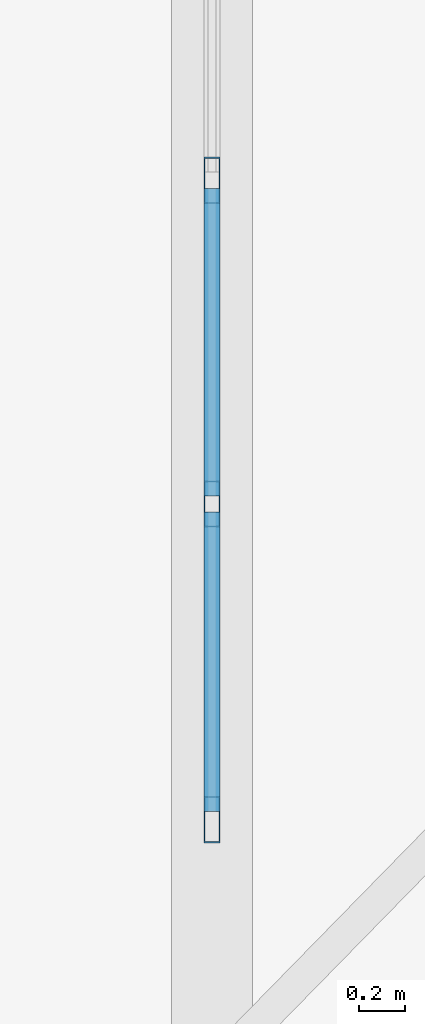
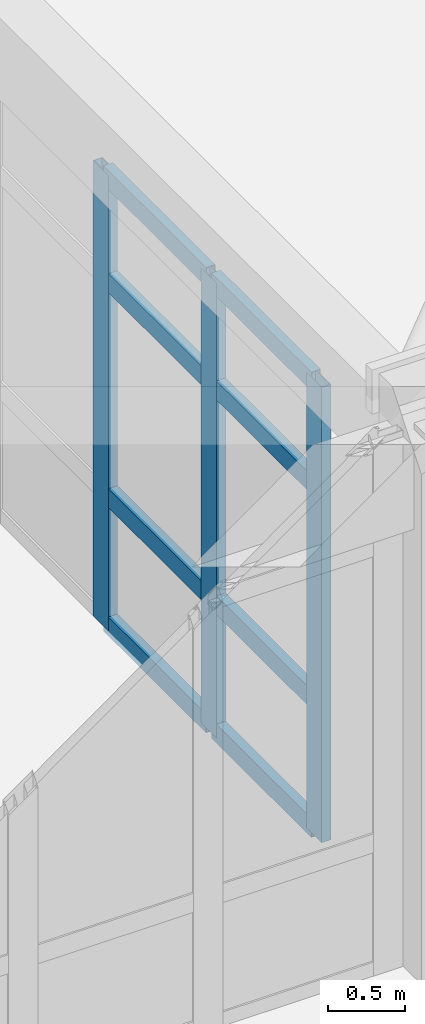
# One storey, part 93 of 186: 11 members, 1 element without a shape of its own.
"""IFC4 building model written with IfcOpenShell, lengths in metres."""

import ifcopenshell
import ifcopenshell.guid

model = None  # the IFC model being written
_history = None  # IfcOwnerHistory: only IFC2X3 demands one
_inside = {}  # id of a spatial element -> (the spatial element, [elements in it])
_under = {}  # id of a project, library or spatial element -> (it, [spatial elements below it])
_declared = {}  # id of a project -> (the project, [libraries it declares])
_typed = {}  # id of a type object -> (the type object, [elements of that type])
_made_of = {}  # id of a material, layer set ... -> (it, [elements and type objects made of it])


def new_model(schema):
    """Start an empty IFC model of exactly this schema.

    Asked for "IFC4X3", IfcOpenShell would pick the latest addendum, in which some entities
    have other attributes; the version numbers below select the first issue.
    IFC2X3 requires an IfcOwnerHistory on every rooted entity: one is made here for all.
    """
    global model, _history
    if schema == "IFC4X3":
        model = ifcopenshell.file(schema_version=(4, 3, 0, 0))
    else:
        model = ifcopenshell.file(schema=schema)
    _inside.clear()
    _under.clear()
    _declared.clear()
    _typed.clear()
    _made_of.clear()
    _history = None
    if model.schema == "IFC2X3":
        org = make("IfcOrganization", Name="unknown")
        user = make(
            "IfcPersonAndOrganization",
            ThePerson=make("IfcPerson", FamilyName="unknown"),
            TheOrganization=org,
        )
        app = make(
            "IfcApplication",
            ApplicationDeveloper=org,
            Version="unknown",
            ApplicationFullName="unknown",
            ApplicationIdentifier="unknown",
        )
        _history = make(
            "IfcOwnerHistory",
            OwningUser=user,
            OwningApplication=app,
            ChangeAction="ADDED",
            CreationDate=0,
        )
    return model


def make(cls, **values):
    """One entity of the class cls with the attributes given. An attribute that is None is left unset."""
    return model.create_entity(
        cls, **{name: value for name, value in values.items() if value is not None}
    )


def rooted(cls, **values):
    """An entity with a GlobalId (a new one), such as an element, a storey or a relation."""
    return make(cls, GlobalId=ifcopenshell.guid.new(), OwnerHistory=_history, **values)


def si_unit(unit_type, name, prefix=None):
    """IfcSIUnit, for example si_unit("LENGTHUNIT", "METRE", prefix="MILLI")."""
    return make("IfcSIUnit", UnitType=unit_type, Prefix=prefix, Name=name)


def assignment(units):
    """IfcUnitAssignment: the units of a project."""
    return None if units is None else make("IfcUnitAssignment", Units=units)


def point(xyz):
    """IfcCartesianPoint."""
    return None if xyz is None else make("IfcCartesianPoint", Coordinates=xyz)


def direction(xyz):
    """IfcDirection."""
    return None if xyz is None else make("IfcDirection", DirectionRatios=xyz)


def frame(location, z_axis=None, x_axis=None):
    """IfcAxis2Placement3D, a coordinate frame: its origin and axes. An axis left out is left unset."""
    return make(
        "IfcAxis2Placement3D",
        Location=point(location),
        Axis=direction(z_axis),
        RefDirection=direction(x_axis),
    )


def frame_2d(location, x_axis=None):
    """IfcAxis2Placement2D, a coordinate frame in the plane: its origin and x axis."""
    return make(
        "IfcAxis2Placement2D", Location=point(location), RefDirection=direction(x_axis)
    )


def origin():
    """The frame at (0, 0, 0) with its axes left unset."""
    return frame((0.0, 0.0, 0.0))


def origin_2d():
    """The frame at (0, 0) in the plane with its x axis left unset."""
    return frame_2d((0.0, 0.0))


def place(relative_to, where):
    """IfcLocalPlacement: puts the frame where relative to a parent placement (None: the world)."""
    return make(
        "IfcLocalPlacement", PlacementRelTo=relative_to, RelativePlacement=where
    )


def context(
    kind, dimensions, precision=None, world=None, true_north=None, identifier=None
):
    """IfcGeometricRepresentationContext, for example the 3D "Model" context."""
    return make(
        "IfcGeometricRepresentationContext",
        ContextIdentifier=identifier,
        ContextType=kind,
        CoordinateSpaceDimension=dimensions,
        Precision=precision,
        WorldCoordinateSystem=world,
        TrueNorth=true_north,
    )


def subcontext(parent, identifier, kind, view, scale=None):
    """IfcGeometricRepresentationSubContext, for example "Body" below "Model"."""
    return make(
        "IfcGeometricRepresentationSubContext",
        ContextIdentifier=identifier,
        ContextType=kind,
        ParentContext=parent,
        TargetScale=scale,
        TargetView=view,
    )


def project(units=None, contexts=None):
    """IfcProject with its units and contexts."""
    return rooted(
        "IfcProject",
        Name="project",
        RepresentationContexts=contexts,
        UnitsInContext=assignment(units),
    )


def spatial(cls, under=None, at=None, **own):
    """A site, building, storey or space (cls), placed at a placement, below another one or the project."""
    s = rooted(cls, ObjectPlacement=at, **own)
    if under is not None:
        _under.setdefault(under.id(), (under, []))[1].append(s)
    return s


def profile(cls, at=None, kind="AREA", **sizes):
    """A parametric profile (cls). Its sizes go by their IFC names, for example OverallWidth=200.0."""
    return make(cls, ProfileType=kind, Position=at, **sizes)


def hollow_rectangle(**sizes):
    """IfcRectangleHollowProfileDef."""
    return profile("IfcRectangleHollowProfileDef", **sizes)


def extrude(swept, where, along, depth):
    """IfcExtrudedAreaSolid: the profile swept, set in the frame where, extruded along a direction by depth."""
    return make(
        "IfcExtrudedAreaSolid",
        SweptArea=swept,
        Position=where,
        ExtrudedDirection=direction(along),
        Depth=depth,
    )


def shape(context_of_items, identifier, shape_type, items):
    """IfcShapeRepresentation: the items that make up one representation, for example the "Body"."""
    return make(
        "IfcShapeRepresentation",
        ContextOfItems=context_of_items,
        RepresentationIdentifier=identifier,
        RepresentationType=shape_type,
        Items=items,
    )


def material(Name=None, Category=None):
    """IfcMaterial."""
    return make("IfcMaterial", Name=Name, Category=Category)


def layer(
    of_material, thickness, ventilated=None, Name=None, Category=None, Priority=None
):
    """IfcMaterialLayer: one layer of a wall or slab, of a material (None: an air gap)."""
    return make(
        "IfcMaterialLayer",
        Material=of_material,
        LayerThickness=thickness,
        IsVentilated=ventilated,
        Name=Name,
        Category=Category,
        Priority=Priority,
    )


def layer_set(layers, Name=None):
    """IfcMaterialLayerSet."""
    return make("IfcMaterialLayerSet", MaterialLayers=layers, LayerSetName=Name)


def material_profile(
    of_material, cross_section, Name=None, Category=None, Priority=None
):
    """IfcMaterialProfile: a cross section and its material."""
    return make(
        "IfcMaterialProfile",
        Name=Name,
        Material=of_material,
        Profile=cross_section,
        Priority=Priority,
        Category=Category,
    )


def profile_set(profiles, Name=None, composite=None):
    """IfcMaterialProfileSet."""
    return make(
        "IfcMaterialProfileSet",
        Name=Name,
        MaterialProfiles=profiles,
        CompositeProfile=composite,
    )


def made_of(thing, what):
    """Note that an element or type object is made of a material, layer set ...; save() writes the relation."""
    if what is not None:
        _made_of.setdefault(what.id(), (what, []))[1].append(thing)
    return thing


def type_object(cls, material=None, **own):
    """A type object (cls), such as IfcWallType, which elements share."""
    return made_of(rooted(cls, **own), material)


def element(
    cls,
    number,
    at=None,
    inside=None,
    cuts=None,
    type_object=None,
    material=None,
    context=None,
    identifier="Body",
    shape_type=None,
    held_by="IfcProductDefinitionShape",
    body=None,
    shapes=None,
    **own,
):
    """One element of the class cls, such as IfcWall. Its Tag is "e" and its number.

    at: its placement. inside: the storey or other place that contains it. cuts: it is an
    opening in that element (IfcRelVoidsElement). A single representation is given by context,
    identifier, shape_type and body (its items); several are given by shapes. held_by: the class
    of the entity that holds the representations. save() writes the other relations.
    """
    e = rooted(cls, Tag="e%d" % number, ObjectPlacement=at, **own)
    if body is not None:
        shapes = [shape(context, identifier, shape_type, body)]
    if shapes is not None:
        e.Representation = make(held_by, Representations=shapes)
    if inside is not None:
        _inside.setdefault(inside.id(), (inside, []))[1].append(e)
    if cuts is not None:
        rooted(
            "IfcRelVoidsElement", RelatingBuildingElement=cuts, RelatedOpeningElement=e
        )
    if type_object is not None:
        _typed.setdefault(type_object.id(), (type_object, []))[1].append(e)
    return made_of(e, material)


def aggregate(whole, parts):
    """IfcRelAggregates: a whole, such as a stair, and the parts it consists of."""
    return rooted("IfcRelAggregates", RelatingObject=whole, RelatedObjects=parts)


def save(model, path):
    """Write the relations noted so far, then the file.

    IfcRelAggregates (storeys below a building ...), IfcRelContainedInSpatialStructure (elements
    in a storey), IfcRelDefinesByType, IfcRelAssociatesMaterial and IfcRelDeclares: one each for
    every whole, place, type object, material and project.
    """
    for whole, parts in _under.values():
        aggregate(whole, parts)
    for where, things in _inside.values():
        rooted(
            "IfcRelContainedInSpatialStructure",
            RelatedElements=things,
            RelatingStructure=where,
        )
    for kind, things in _typed.values():
        rooted("IfcRelDefinesByType", RelatedObjects=things, RelatingType=kind)
    for what, things in _made_of.values():
        rooted("IfcRelAssociatesMaterial", RelatedObjects=things, RelatingMaterial=what)
    for by, libraries in _declared.values():
        rooted("IfcRelDeclares", RelatingContext=by, RelatedDefinitions=libraries)
    model.write(path)


model = new_model("IFC4")

# Units and contexts
model_context = context("Model", 3, precision=1e-05, world=origin(), true_north=direction((0.0, 1.0)))
body_context = subcontext(model_context, "Body", "Model", "MODEL_VIEW")
ifc_project = project(units=[si_unit("LENGTHUNIT", "METRE"), si_unit("AREAUNIT", "SQUARE_METRE"), si_unit("VOLUMEUNIT", "CUBIC_METRE"), si_unit("PLANEANGLEUNIT", "RADIAN"), si_unit("MASSUNIT", "GRAM", prefix="KILO")], contexts=[model_context])

# Site, building, storey
site_placement = place(None, origin())
site = spatial("IfcSite", under=ifc_project, at=site_placement, CompositionType="ELEMENT")
building_placement = place(site_placement, origin())
building = spatial("IfcBuilding", under=site, at=building_placement, Name="Ornek Quay Market", CompositionType="ELEMENT")
storey_placement = place(building_placement, origin())
storey = spatial("IfcBuildingStorey", under=building, at=storey_placement, Name="L00", CompositionType="ELEMENT", Elevation=0.0)

# Curtain wall, members
ifc_material_1 = material(Name="Anodised bronze aluminium and triple low-e glass", Category="aluminium")
ifc_layer = layer(ifc_material_1, 0.219970703125, Name="Anodised bronze aluminium and triple low-e glass", Category="aluminium")
ifc_layer_set = layer_set([ifc_layer], Name="Anodised bronze aluminium and triple low-e glass")
curtain_wall_type = type_object("IfcCurtainWallType", Name="CW-PORCH-MOD1500", PredefinedType="USERDEFINED", material=ifc_layer_set)
curtain_wall_placement = place(storey_placement, origin())
curtain_wall = element("IfcCurtainWall", 1, at=curtain_wall_placement, inside=storey, type_object=curtain_wall_type, Name="Curtain wall CW-151", ObjectType="CURTAIN WALL", PredefinedType="USERDEFINED")
ifc_material_2 = material(Name="Anodised aluminium 6063-T6", Category="aluminium")
ifc_material_profile_1 = material_profile(ifc_material_2, hollow_rectangle(XDim=0.070068359375, YDim=0.199951171875, WallThickness=0.0048828125, at=origin_2d()), Name="CW-MUL-70x200", Category="aluminium")
ifc_profile_set_1 = profile_set([ifc_material_profile_1], Name="Anodised aluminium 6063-T6")
member_type_1 = type_object("IfcMemberType", Name="CW-MUL-70x200", PredefinedType="MULLION", material=ifc_profile_set_1)
member_1_placement = place(storey_placement, frame((72.0, 111.534912109375, 0.0), z_axis=(0.0, 0.0, 1.0), x_axis=(-1.0, 0.0, 0.0)))
member_1 = element("IfcMember", 2, at=member_1_placement, type_object=member_type_1, Name="CW-151 mullion 1", PredefinedType="MULLION", context=body_context, shape_type="SweptSolid", body=[
    extrude(hollow_rectangle(XDim=0.070068359375, YDim=0.199951171875, WallThickness=0.0048828125, at=origin_2d()), origin(), (0.0, 0.0, 1.0), 3.60009765625),
])
member_2_placement = place(storey_placement, frame((72.0, 112.89990234375, 0.0), z_axis=(0.0, 0.0, 1.0), x_axis=(-1.0, 0.0, 0.0)))
member_2 = element("IfcMember", 3, at=member_2_placement, type_object=member_type_1, Name="CW-151 mullion 2", PredefinedType="MULLION", context=body_context, shape_type="SweptSolid", body=[
    extrude(hollow_rectangle(XDim=0.070068359375, YDim=0.199951171875, WallThickness=0.0048828125, at=origin_2d()), origin(), (0.0, 0.0, 1.0), 3.60009765625),
])
member_3_placement = place(storey_placement, frame((72.0, 114.300048828125, 0.0), z_axis=(0.0, 0.0, 1.0), x_axis=(-1.0, 0.0, 0.0)))
member_3 = element("IfcMember", 4, at=member_3_placement, type_object=member_type_1, Name="CW-151 mullion 3", PredefinedType="MULLION", context=body_context, shape_type="SweptSolid", body=[
    extrude(hollow_rectangle(XDim=0.070068359375, YDim=0.199951171875, WallThickness=0.0048828125, at=origin_2d()), origin(), (0.0, 0.0, 1.0), 3.60009765625),
])
ifc_material_profile_2 = material_profile(ifc_material_2, hollow_rectangle(XDim=0.070068359375, YDim=0.14990234375, WallThickness=0.0048828125, at=origin_2d()), Name="CW-TRN-70x150", Category="aluminium")
ifc_profile_set_2 = profile_set([ifc_material_profile_2], Name="Anodised aluminium 6063-T6")
member_type_2 = type_object("IfcMemberType", Name="CW-TRN-70x150", PredefinedType="USERDEFINED", material=ifc_profile_set_2)
member_4_placement = place(storey_placement, frame((72.0, 111.570068359375, 0.034912109375), z_axis=(0.0, 1.0, 0.0), x_axis=(-1.0, 0.0, 0.0)))
member_4 = element("IfcMember", 5, at=member_4_placement, type_object=member_type_2, Name="CW-151 transom 1.1", ObjectType="TRANSOM", PredefinedType="USERDEFINED", context=body_context, shape_type="SweptSolid", body=[
    extrude(hollow_rectangle(XDim=0.070068359375, YDim=0.14990234375, WallThickness=0.0048828125, at=origin_2d()), origin(), (0.0, 0.0, 1.0), 1.294921875),
])
member_5_placement = place(storey_placement, frame((72.0, 111.570068359375, 1.050048828125), z_axis=(0.0, 1.0, 0.0), x_axis=(-1.0, 0.0, 0.0)))
member_5 = element("IfcMember", 6, at=member_5_placement, type_object=member_type_2, Name="CW-151 transom 1.2", ObjectType="TRANSOM", PredefinedType="USERDEFINED", context=body_context, shape_type="SweptSolid", body=[
    extrude(hollow_rectangle(XDim=0.070068359375, YDim=0.14990234375, WallThickness=0.0048828125, at=origin_2d()), origin(), (0.0, 0.0, 1.0), 1.294921875),
])
member_6_placement = place(storey_placement, frame((72.0, 111.570068359375, 2.75), z_axis=(0.0, 1.0, 0.0), x_axis=(-1.0, 0.0, 0.0)))
member_6 = element("IfcMember", 7, at=member_6_placement, type_object=member_type_2, Name="CW-151 transom 1.3", ObjectType="TRANSOM", PredefinedType="USERDEFINED", context=body_context, shape_type="SweptSolid", body=[
    extrude(hollow_rectangle(XDim=0.070068359375, YDim=0.14990234375, WallThickness=0.0048828125, at=origin_2d()), origin(), (0.0, 0.0, 1.0), 1.294921875),
])
member_7_placement = place(storey_placement, frame((72.0, 111.570068359375, 3.56494140625), z_axis=(0.0, 1.0, 0.0), x_axis=(-1.0, 0.0, 0.0)))
member_7 = element("IfcMember", 8, at=member_7_placement, type_object=member_type_2, Name="CW-151 transom 1.4", ObjectType="TRANSOM", PredefinedType="USERDEFINED", context=body_context, shape_type="SweptSolid", body=[
    extrude(hollow_rectangle(XDim=0.070068359375, YDim=0.14990234375, WallThickness=0.0048828125, at=origin_2d()), origin(), (0.0, 0.0, 1.0), 1.294921875),
])
member_8_placement = place(storey_placement, frame((72.0, 112.93505859375, 0.034912109375), z_axis=(0.0, 1.0, 0.0), x_axis=(-1.0, 0.0, 0.0)))
member_8 = element("IfcMember", 9, at=member_8_placement, type_object=member_type_2, Name="CW-151 transom 2.1", ObjectType="TRANSOM", PredefinedType="USERDEFINED", context=body_context, shape_type="SweptSolid", body=[
    extrude(hollow_rectangle(XDim=0.070068359375, YDim=0.14990234375, WallThickness=0.0048828125, at=origin_2d()), origin(), (0.0, 0.0, 1.0), 1.329833984375),
])
member_9_placement = place(storey_placement, frame((72.0, 112.93505859375, 1.050048828125), z_axis=(0.0, 1.0, 0.0), x_axis=(-1.0, 0.0, 0.0)))
member_9 = element("IfcMember", 10, at=member_9_placement, type_object=member_type_2, Name="CW-151 transom 2.2", ObjectType="TRANSOM", PredefinedType="USERDEFINED", context=body_context, shape_type="SweptSolid", body=[
    extrude(hollow_rectangle(XDim=0.070068359375, YDim=0.14990234375, WallThickness=0.0048828125, at=origin_2d()), origin(), (0.0, 0.0, 1.0), 1.329833984375),
])
member_10_placement = place(storey_placement, frame((72.0, 112.93505859375, 2.75), z_axis=(0.0, 1.0, 0.0), x_axis=(-1.0, 0.0, 0.0)))
member_10 = element("IfcMember", 11, at=member_10_placement, type_object=member_type_2, Name="CW-151 transom 2.3", ObjectType="TRANSOM", PredefinedType="USERDEFINED", context=body_context, shape_type="SweptSolid", body=[
    extrude(hollow_rectangle(XDim=0.070068359375, YDim=0.14990234375, WallThickness=0.0048828125, at=origin_2d()), origin(), (0.0, 0.0, 1.0), 1.329833984375),
])
member_11_placement = place(storey_placement, frame((72.0, 112.93505859375, 3.56494140625), z_axis=(0.0, 1.0, 0.0), x_axis=(-1.0, 0.0, 0.0)))
member_11 = element("IfcMember", 12, at=member_11_placement, type_object=member_type_2, Name="CW-151 transom 2.4", ObjectType="TRANSOM", PredefinedType="USERDEFINED", context=body_context, shape_type="SweptSolid", body=[
    extrude(hollow_rectangle(XDim=0.070068359375, YDim=0.14990234375, WallThickness=0.0048828125, at=origin_2d()), origin(), (0.0, 0.0, 1.0), 1.329833984375),
])
aggregate(curtain_wall, [member_1, member_2, member_3, member_4, member_5, member_6, member_7, member_8, member_9, member_10, member_11])

save(model, "model.ifc")
